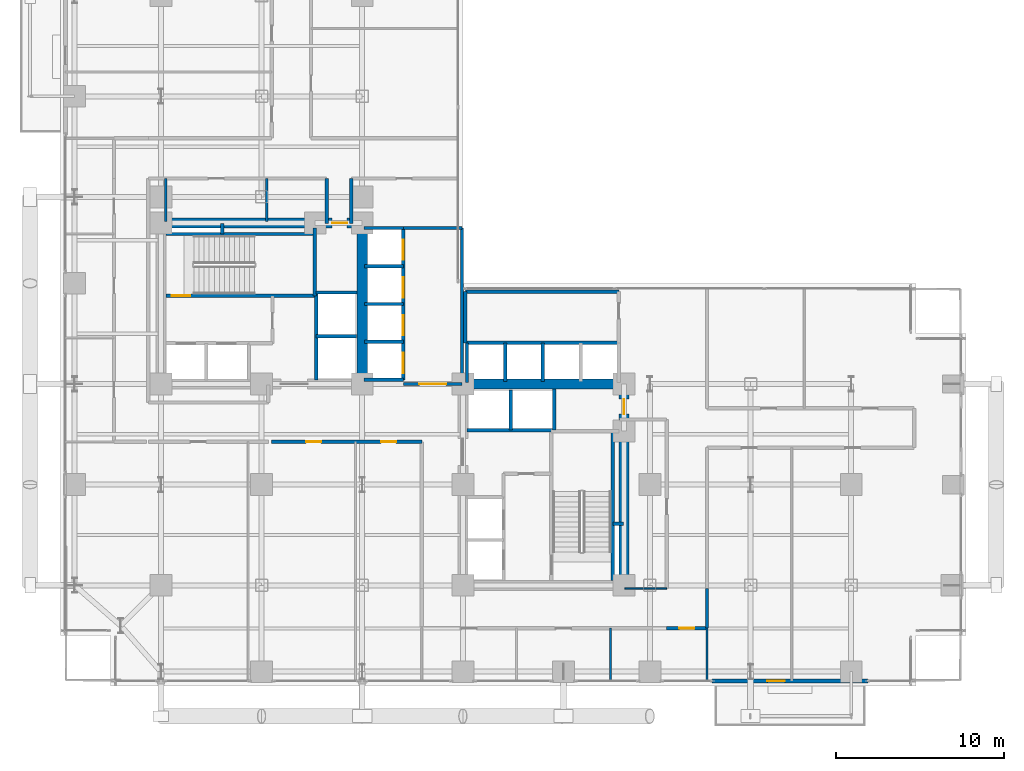
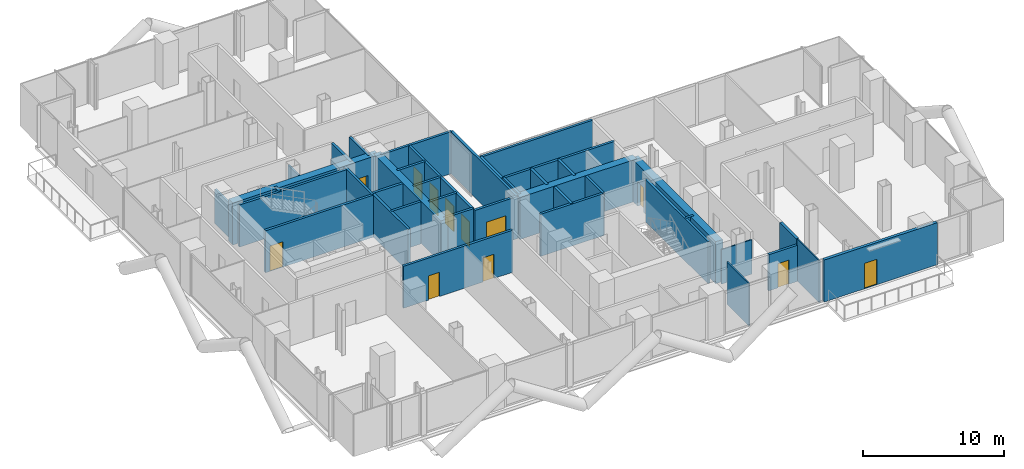
# One storey, part 22 of 27: 42 walls, 12 doors, 12 openings.
"""IFC4 building model written with IfcOpenShell, lengths in metres."""

from ifc_helpers import new_model, si_unit, direction, frame, frame_2d, origin, place, context, subcontext, project, spatial, rectangle, extrude, material, layer, layer_set, type_object, element, fill, save


model = new_model("IFC4")

# Units and contexts
model_context = context("Model", 3, precision=1e-05, world=origin(), true_north=direction((0.0, 1.0)))
body_context = subcontext(model_context, "Body", "Model", "MODEL_VIEW")
ifc_project = project(units=[si_unit("LENGTHUNIT", "METRE"), si_unit("AREAUNIT", "SQUARE_METRE"), si_unit("VOLUMEUNIT", "CUBIC_METRE"), si_unit("PLANEANGLEUNIT", "RADIAN"), si_unit("MASSUNIT", "GRAM", prefix="KILO"), si_unit("THERMODYNAMICTEMPERATUREUNIT", "KELVIN"), si_unit("POWERUNIT", "WATT")], contexts=[model_context])

# Site, building, storey
site_placement = place(None, origin())
site = spatial("IfcSite", under=ifc_project, at=site_placement, CompositionType="ELEMENT")
building_placement = place(site_placement, origin())
building = spatial("IfcBuilding", under=site, at=building_placement, Name="Svarakhadi Broadcast Tower", CompositionType="ELEMENT")
storey_placement = place(building_placement, frame((0.0, 0.0, 87.0)))
storey = spatial("IfcBuildingStorey", under=building, at=storey_placement, Name="L20", CompositionType="ELEMENT", Elevation=87.0)

# Wall, opening, door
ifc_material_1 = material(Name="Concrete C40/50 (IS 456 M50)", Category="concrete")
ifc_layer_1 = layer(ifc_material_1, 0.239990234375)
ifc_layer_set_1 = layer_set([ifc_layer_1], Name="Concrete C40/50 (IS 456 M50)")
wall_type_1 = type_object("IfcWallType", Name="Wall_Ext_240", PredefinedType="SOLIDWALL", material=ifc_layer_set_1)
wall_1_placement = place(storey_placement, frame((48.14501953125, 0.300048828125, 0.0), z_axis=(0.0, 0.0, 1.0), x_axis=(-1.0, 0.0, 0.0)))
wall_1 = element("IfcWall", 1, at=wall_1_placement, inside=storey, type_object=wall_type_1, Name="L20 South Tree Balcony Spandrel Wall", PredefinedType="SOLIDWALL", context=body_context, shape_type="SweptSolid", body=[
    extrude(rectangle(XDim=9.2900390625, YDim=0.239990234375, at=frame_2d((4.64501953125, 0.0))), origin(), (0.0, 0.0, 1.0), 3.64990234375),
])
opening_1_placement = place(wall_1_placement, frame((4.949951171875, 0.0, 0.0)))
opening_1 = element("IfcOpeningElement", 2, at=opening_1_placement, cuts=wall_1, Name="Opening ED-06", PredefinedType="OPENING", context=body_context, shape_type="SweptSolid", body=[
    extrude(rectangle(XDim=1.050048828125, YDim=2.199951171875, at=frame_2d((0.52490234375, 1.10009765625))), frame((0.0, 0.1298828125, 0.0), z_axis=(0.0, -1.0, 0.0), x_axis=(1.0, 0.0, 0.0)), (0.0, 0.0, 1.0), 0.260009765625),
])
ifc_material_2 = material(Name="Anodised Bronze Aluminium AA 6063-T6", Category="aluminium")
door_type_1 = type_object("IfcDoorType", Name="Door_Ext_ED06", OperationType="SINGLE_SWING_RIGHT", PredefinedType="DOOR", material=ifc_material_2)
door_1_placement = place(opening_1_placement, origin())
door_1 = element("IfcDoor", 3, at=door_1_placement, inside=storey, type_object=door_type_1, Name="L20 South Tree Balcony Door", OperationType="SINGLE_SWING_RIGHT", OverallHeight=2.199951171875, OverallWidth=1.050048828125, PredefinedType="DOOR", context=body_context, shape_type="SweptSolid", body=[
    extrude(rectangle(XDim=1.050048828125, YDim=2.199951171875, at=frame_2d((0.52490234375, 1.10009765625))), frame((0.0, 0.02490234375, 0.0), z_axis=(0.0, -1.0, 0.0), x_axis=(1.0, 0.0, 0.0)), (0.0, 0.0, 1.0), 0.050048828125),
])
fill(opening_1, door_1)

# Walls
ifc_layer_2 = layer(ifc_material_1, 0.199951171875)
ifc_layer_set_2 = layer_set([ifc_layer_2], Name="Concrete C40/50 (IS 456 M50)")
wall_type_2 = type_object("IfcWallType", Name="Wall_Fire_200", PredefinedType="SOLIDWALL", material=ifc_layer_set_2)
for number, where, z_axis, x_axis, name in (
    (4, (9.659912109375, 26.93994140625, 0.0), (0.0, 0.0, 1.0), (0.0, 1.0, 0.0), "L20 Wet Riser Shaft East Wall"),
    (5, (32.93994140625, 9.659912109375, 0.0), (0.0, 0.0, 1.0), (1.0, 0.0, 0.0), "L20 HV Busduct Riser Shaft North Wall"),
):
    element("IfcWall", number, at=place(storey_placement, frame(where, z_axis=z_axis, x_axis=x_axis)), inside=storey, type_object=wall_type_2, Name=name, PredefinedType="SOLIDWALL", context=body_context, shape_type="SweptSolid", body=[
        extrude(rectangle(XDim=0.64013671875, YDim=0.199951171875, at=frame_2d((0.320068359375, 0.0))), origin(), (0.0, 0.0, 1.0), 3.64990234375),
    ])
wall_2_placement = place(storey_placement, frame((38.550048828125, 5.800048828125, 0.0), z_axis=(0.0, 0.0, 1.0), x_axis=(0.0, -1.0, 0.0)))
element("IfcWall", 6, at=wall_2_placement, inside=storey, type_object=wall_type_2, Name="L20 Broadcast Corridor Wall", PredefinedType="SOLIDWALL", context=body_context, shape_type="SweptSolid", body=[
    extrude(rectangle(XDim=2.35009765625, YDim=0.199951171875, at=frame_2d((1.175048828125, 0.0))), origin(), (0.0, 0.0, 1.0), 3.64990234375),
])

# Wall, opening, door
wall_3_placement = place(storey_placement, frame((38.550048828125, 3.449951171875, 0.0), z_axis=(0.0, 0.0, 1.0), x_axis=(-1.0, 0.0, 0.0)))
wall_3 = element("IfcWall", 7, at=wall_3_placement, inside=storey, type_object=wall_type_2, Name="L20 Broadcast Corridor Wall", PredefinedType="SOLIDWALL", context=body_context, shape_type="SweptSolid", body=[
    extrude(rectangle(XDim=2.400146484375, YDim=0.199951171875, at=frame_2d((1.2001953125, 0.0))), origin(), (0.0, 0.0, 1.0), 3.14208984375),
])
opening_2_placement = place(wall_3_placement, frame((0.75, 0.0, 0.0)))
opening_2 = element("IfcOpeningElement", 8, at=opening_2_placement, cuts=wall_3, Name="Opening D-15", PredefinedType="OPENING", context=body_context, shape_type="SweptSolid", body=[
    extrude(rectangle(XDim=0.89990234375, YDim=2.10009765625, at=frame_2d((0.449951171875, 1.050048828125))), frame((0.0, 0.10986328125, 0.0), z_axis=(0.0, -1.0, 0.0), x_axis=(1.0, 0.0, 0.0)), (0.0, 0.0, 1.0), 0.219970703125),
])
ifc_material_3 = material(Name="Solid-Core Teak Veneer Acoustic Timber Leaf", Category="wood")
door_type_2 = type_object("IfcDoorType", Name="Door_Int_D15", OperationType="SINGLE_SWING_RIGHT", PredefinedType="DOOR", material=ifc_material_3)
door_2_placement = place(opening_2_placement, origin())
door_2 = element("IfcDoor", 9, at=door_2_placement, inside=storey, type_object=door_type_2, Name="L20 Broadcast Staff Refreshment Pantry Door", OperationType="SINGLE_SWING_RIGHT", OverallHeight=2.10009765625, OverallWidth=0.89990234375, PredefinedType="DOOR", context=body_context, shape_type="SweptSolid", body=[
    extrude(rectangle(XDim=0.89990234375, YDim=2.10009765625, at=frame_2d((0.449951171875, 1.050048828125))), frame((0.0, 0.02490234375, 0.0), z_axis=(0.0, -1.0, 0.0), x_axis=(1.0, 0.0, 0.0)), (0.0, 0.0, 1.0), 0.050048828125),
])
fill(opening_2, door_2)

# Wall, openings, doors
wall_4_placement = place(storey_placement, frame((21.550048828125, 14.550048828125, 0.0), z_axis=(0.0, 0.0, 1.0), x_axis=(-1.0, 0.0, 0.0)))
wall_4 = element("IfcWall", 10, at=wall_4_placement, inside=storey, type_object=wall_type_2, Name="L20 Broadcast Corridor Wall", PredefinedType="SOLIDWALL", context=body_context, shape_type="SweptSolid", body=[
    extrude(rectangle(XDim=8.949951171875, YDim=0.199951171875, at=frame_2d((4.47509765625, 0.0))), origin(), (0.0, 0.0, 1.0), 3.64990234375),
])
opening_3_placement = place(wall_4_placement, frame((6.0, 0.0, 0.0)))
opening_3 = element("IfcOpeningElement", 11, at=opening_3_placement, cuts=wall_4, Name="Opening D-14", PredefinedType="OPENING", context=body_context, shape_type="SweptSolid", body=[
    extrude(rectangle(XDim=0.89990234375, YDim=2.10009765625, at=frame_2d((0.449951171875, 1.050048828125))), frame((0.0, 0.10986328125, 0.0), z_axis=(0.0, -1.0, 0.0), x_axis=(1.0, 0.0, 0.0)), (0.0, 0.0, 1.0), 0.219970703125),
])
opening_4_placement = place(wall_4_placement, frame((1.52490234375, 0.0, 0.0)))
opening_4 = element("IfcOpeningElement", 12, at=opening_4_placement, cuts=wall_4, Name="Opening D-15", PredefinedType="OPENING", context=body_context, shape_type="SweptSolid", body=[
    extrude(rectangle(XDim=0.89990234375, YDim=2.10009765625, at=frame_2d((0.449951171875, 1.050048828125))), frame((0.0, 0.10986328125, 0.0), z_axis=(0.0, -1.0, 0.0), x_axis=(1.0, 0.0, 0.0)), (0.0, 0.0, 1.0), 0.219970703125),
])
door_type_3 = type_object("IfcDoorType", Name="Door_Int_D14", OperationType="SINGLE_SWING_LEFT", PredefinedType="DOOR", material=ifc_material_3)
door_3_placement = place(opening_3_placement, origin())
door_3 = element("IfcDoor", 13, at=door_3_placement, inside=storey, type_object=door_type_3, Name="L20 Standards and Practices Boardroom Door", OperationType="SINGLE_SWING_LEFT", OverallHeight=2.10009765625, OverallWidth=0.89990234375, PredefinedType="DOOR", context=body_context, shape_type="SweptSolid", body=[
    extrude(rectangle(XDim=0.89990234375, YDim=2.10009765625, at=frame_2d((0.449951171875, 1.050048828125))), frame((0.0, 0.02490234375, 0.0), z_axis=(0.0, -1.0, 0.0), x_axis=(1.0, 0.0, 0.0)), (0.0, 0.0, 1.0), 0.050048828125),
])
fill(opening_3, door_3)
door_4_placement = place(opening_4_placement, origin())
door_4 = element("IfcDoor", 14, at=door_4_placement, inside=storey, type_object=door_type_2, Name="L20 Executive Secretariat Door", OperationType="SINGLE_SWING_RIGHT", OverallHeight=2.10009765625, OverallWidth=0.89990234375, PredefinedType="DOOR", context=body_context, shape_type="SweptSolid", body=[
    extrude(rectangle(XDim=0.89990234375, YDim=2.10009765625, at=frame_2d((0.449951171875, 1.050048828125))), frame((0.0, 0.02490234375, 0.0), z_axis=(0.0, -1.0, 0.0), x_axis=(1.0, 0.0, 0.0)), (0.0, 0.0, 1.0), 0.050048828125),
])
fill(opening_4, door_4)

# Walls
for number, where, z_axis, x_axis, name in (
    (15, (17.35009765625, 30.25, 0.0), (0.0, 0.0, 1.0), (0.0, -1.0, 0.0), "L20 Broadcast Corridor Wall"),
    (16, (15.8798828125, 27.580078125, 0.0), (0.0, 0.0, 1.0), (0.0, 1.0, 0.0), "L20 Broadcast Corridor Wall"),
):
    element("IfcWall", number, at=place(storey_placement, frame(where, z_axis=z_axis, x_axis=x_axis)), inside=storey, type_object=wall_type_2, Name=name, PredefinedType="SOLIDWALL", context=body_context, shape_type="SweptSolid", body=[
        extrude(rectangle(XDim=2.669921875, YDim=0.199951171875, at=frame_2d((1.3349609375, 0.0))), origin(), (0.0, 0.0, 1.0), 3.64990234375),
    ])
ifc_material_4 = material(Name="Fire-Rated Moisture-Resistant Gypsum Board Partition", Category="gypsum")
ifc_layer_3 = layer(ifc_material_4, 0.10009765625)
ifc_layer_set_3 = layer_set([ifc_layer_3], Name="Fire-Rated Moisture-Resistant Gypsum Board Partition")
wall_type_3 = type_object("IfcWallType", Name="Wall_Part_100", PredefinedType="PARTITIONING", material=ifc_layer_set_3)
for number, where, z_axis, x_axis, name in (
    (17, (32.800048828125, 0.300048828125, 0.0), (0.0, 0.0, 1.0), (0.0, 1.0, 0.0), "L20 Media Legal Review Office Wall"),
    (18, (38.550048828125, 0.300048828125, 0.0), (0.0, 0.0, 1.0), (0.0, 1.0, 0.0), "L20 Broadcast Staff Refreshment Pantry Wall"),
):
    element("IfcWall", number, at=place(storey_placement, frame(where, z_axis=z_axis, x_axis=x_axis)), inside=storey, type_object=wall_type_3, Name=name, PredefinedType="PARTITIONING", context=body_context, shape_type="SweptSolid", body=[
        extrude(rectangle(XDim=3.14990234375, YDim=0.10009765625, at=frame_2d((1.574951171875, 0.0))), origin(), (0.0, 0.0, 1.0), 3.64990234375),
    ])
wall_5_placement = place(storey_placement, frame((33.64990234375, 5.800048828125, 0.0), z_axis=(0.0, 0.0, 1.0), x_axis=(1.0, 0.0, 0.0)))
element("IfcWall", 19, at=wall_5_placement, inside=storey, type_object=wall_type_3, Name="L20 Live Feed Monitoring Studio Wall", PredefinedType="PARTITIONING", context=body_context, shape_type="SweptSolid", body=[
    extrude(rectangle(XDim=2.5, YDim=0.10009765625, at=frame_2d((1.25, 0.0))), origin(), (0.0, 0.0, 1.0), 2.991943359375),
])
ifc_material_5 = material(Name="Autoclaved Aerated Concrete Blockwork 150 mm", Category="masonry")
ifc_layer_4 = layer(ifc_material_5, 0.14990234375)
ifc_layer_set_4 = layer_set([ifc_layer_4], Name="Autoclaved Aerated Concrete Blockwork 150 mm")
wall_type_4 = type_object("IfcWallType", Name="Wall_Part_150", PredefinedType="PARTITIONING", material=ifc_layer_set_4)
for number, where, z_axis, x_axis, name in (
    (20, (6.300048828125, 27.679931640625, 0.0), (0.0, 0.0, 1.0), (0.0, 1.0, 0.0), "L20 Accessible Toilet WC Wall"),
    (21, (12.300048828125, 27.679931640625, 0.0), (0.0, 0.0, 1.0), (0.0, 1.0, 0.0), "L20 Accessible Toilet WC Wall"),
):
    element("IfcWall", number, at=place(storey_placement, frame(where, z_axis=z_axis, x_axis=x_axis)), inside=storey, type_object=wall_type_4, Name=name, PredefinedType="PARTITIONING", context=body_context, shape_type="SweptSolid", body=[
        extrude(rectangle(XDim=2.570068359375, YDim=0.14990234375, at=frame_2d((1.28515625, 0.0))), origin(), (0.0, 0.0, 1.0), 2.991943359375),
    ])

# Wall, opening, door
ifc_material_6 = material(Name="Concrete C50/60 (IS 456 M60)", Category="concrete")
ifc_layer_5 = layer(ifc_material_6, 0.199951171875)
ifc_layer_set_5 = layer_set([ifc_layer_5], Name="Concrete C50/60 (IS 456 M60)")
wall_type_5 = type_object("IfcWallType", Name="Wall_Shear_200", PredefinedType="SHEAR", material=ifc_layer_set_5)
wall_6_placement = place(storey_placement, frame((6.300048828125, 23.260009765625, 0.0), z_axis=(0.0, 0.0, 1.0), x_axis=(1.0, 0.0, 0.0)))
wall_6 = element("IfcWall", 22, at=wall_6_placement, inside=storey, type_object=wall_type_5, Name="L20 Stair ST-01 South RC Shaft Wall", PredefinedType="SHEAR", context=body_context, shape_type="SweptSolid", body=[
    extrude(rectangle(XDim=8.8798828125, YDim=0.199951171875, at=frame_2d((4.43994140625, 0.0))), origin(), (0.0, 0.0, 1.0), 3.64990234375),
])
opening_5_placement = place(wall_6_placement, frame((0.35009765625, 0.0, 0.0)))
opening_5 = element("IfcOpeningElement", 23, at=opening_5_placement, cuts=wall_6, Name="Opening D-01", PredefinedType="OPENING", context=body_context, shape_type="SweptSolid", body=[
    extrude(rectangle(XDim=1.10009765625, YDim=2.199951171875, at=frame_2d((0.550048828125, 1.10009765625))), frame((0.0, 0.10986328125, 0.0), z_axis=(0.0, -1.0, 0.0), x_axis=(1.0, 0.0, 0.0)), (0.0, 0.0, 1.0), 0.219970703125),
])
ifc_material_7 = material(Name="Galvanised Powder-Coated Fire-Rated Steel Leaf", Category="steel")
door_type_4 = type_object("IfcDoorType", Name="Door_Stair_D01", OperationType="SINGLE_SWING_LEFT", PredefinedType="DOOR", material=ifc_material_7)
door_5_placement = place(opening_5_placement, origin())
door_5 = element("IfcDoor", 24, at=door_5_placement, inside=storey, type_object=door_type_4, Name="L20 Protected Exit Stair ST-01 Fire Door", OperationType="SINGLE_SWING_LEFT", OverallHeight=2.199951171875, OverallWidth=1.10009765625, PredefinedType="DOOR", context=body_context, shape_type="SweptSolid", body=[
    extrude(rectangle(XDim=1.10009765625, YDim=2.199951171875, at=frame_2d((0.550048828125, 1.10009765625))), frame((0.0, 0.02490234375, 0.0), z_axis=(0.0, -1.0, 0.0), x_axis=(1.0, 0.0, 0.0)), (0.0, 0.0, 1.0), 0.050048828125),
])
fill(opening_5, door_5)

# Walls
wall_7_placement = place(storey_placement, frame((6.300048828125, 26.93994140625, 0.0), z_axis=(0.0, 0.0, 1.0), x_axis=(1.0, 0.0, 0.0)))
element("IfcWall", 25, at=wall_7_placement, inside=storey, type_object=wall_type_5, Name="L20 Stair ST-01 North RC Shaft Wall", PredefinedType="SHEAR", context=body_context, shape_type="SweptSolid", body=[
    extrude(rectangle(XDim=8.8798828125, YDim=0.199951171875, at=frame_2d((4.43994140625, 0.0))), origin(), (0.0, 0.0, 1.0), 3.64990234375),
])
wall_8_placement = place(storey_placement, frame((15.179931640625, 23.260009765625, 0.0), z_axis=(0.0, 0.0, 1.0), x_axis=(0.0, 1.0, 0.0)))
element("IfcWall", 26, at=wall_8_placement, inside=storey, type_object=wall_type_5, Name="L20 Stair ST-01 East RC Shaft Wall", PredefinedType="SHEAR", context=body_context, shape_type="SweptSolid", body=[
    extrude(rectangle(XDim=4.0400390625, YDim=0.199951171875, at=frame_2d((2.02001953125, 0.0))), origin(), (0.0, 0.0, 1.0), 3.64990234375),
])
wall_9_placement = place(storey_placement, frame((32.93994140625, 6.300048828125, 0.0), z_axis=(0.0, 0.0, 1.0), x_axis=(0.0, 1.0, 0.0)))
element("IfcWall", 27, at=wall_9_placement, inside=storey, type_object=wall_type_5, Name="L20 Stair ST-02 East RC Shaft Wall", PredefinedType="SHEAR", context=body_context, shape_type="SweptSolid", body=[
    extrude(rectangle(XDim=8.8798828125, YDim=0.199951171875, at=frame_2d((4.43994140625, 0.0))), origin(), (0.0, 0.0, 1.0), 3.64990234375),
])
wall_10_placement = place(storey_placement, frame((15.25, 18.25, 0.0), z_axis=(0.0, 0.0, 1.0), x_axis=(0.0, 1.0, 0.0)))
element("IfcWall", 28, at=wall_10_placement, inside=storey, type_object=wall_type_5, Name="L20 High-Rise Lift LF-13/14 West Shaft Wall", PredefinedType="SHEAR", context=body_context, shape_type="SweptSolid", body=[
    extrude(rectangle(XDim=5.199951171875, YDim=0.199951171875, at=frame_2d((2.60009765625, 0.0))), origin(), (0.0, 0.0, 1.0), 3.64990234375),
])
wall_11_placement = place(storey_placement, frame((15.25, 20.85009765625, 0.0), z_axis=(0.0, 0.0, 1.0), x_axis=(1.0, 0.0, 0.0)))
element("IfcWall", 29, at=wall_11_placement, inside=storey, type_object=wall_type_5, Name="L20 High-Rise Lift LF-13/14 Divider", PredefinedType="SHEAR", context=body_context, shape_type="SweptSolid", body=[
    extrude(rectangle(XDim=2.39990234375, YDim=0.199951171875, at=frame_2d((1.199951171875, 0.0))), origin(), (0.0, 0.0, 1.0), 3.64990234375),
])
wall_12_placement = place(storey_placement, frame((15.25, 23.449951171875, 0.0), z_axis=(0.0, 0.0, 1.0), x_axis=(1.0, 0.0, 0.0)))
element("IfcWall", 30, at=wall_12_placement, inside=storey, type_object=wall_type_5, Name="L20 High-Rise Lift LF-13/14 North Wall", PredefinedType="SHEAR", context=body_context, shape_type="SweptSolid", body=[
    extrude(rectangle(XDim=2.449951171875, YDim=0.199951171875, at=frame_2d((1.22509765625, 0.0))), origin(), (0.0, 0.0, 1.0), 3.64990234375),
])
wall_13_placement = place(storey_placement, frame((24.25, 15.25, 0.0), z_axis=(0.0, 0.0, 1.0), x_axis=(1.0, 0.0, 0.0)))
element("IfcWall", 31, at=wall_13_placement, inside=storey, type_object=wall_type_5, Name="L20 High-Rise Lift LF-15/16 South Shaft Wall", PredefinedType="SHEAR", context=body_context, shape_type="SweptSolid", body=[
    extrude(rectangle(XDim=5.199951171875, YDim=0.199951171875, at=frame_2d((2.60009765625, 0.0))), origin(), (0.0, 0.0, 1.0), 3.64990234375),
])
wall_14_placement = place(storey_placement, frame((26.85009765625, 15.25, 0.0), z_axis=(0.0, 0.0, 1.0), x_axis=(0.0, 1.0, 0.0)))
element("IfcWall", 32, at=wall_14_placement, inside=storey, type_object=wall_type_5, Name="L20 High-Rise Lift LF-15/16 Divider", PredefinedType="SHEAR", context=body_context, shape_type="SweptSolid", body=[
    extrude(rectangle(XDim=2.39990234375, YDim=0.199951171875, at=frame_2d((1.199951171875, 0.0))), origin(), (0.0, 0.0, 1.0), 3.64990234375),
])
wall_15_placement = place(storey_placement, frame((29.449951171875, 15.25, 0.0), z_axis=(0.0, 0.0, 1.0), x_axis=(0.0, 1.0, 0.0)))
element("IfcWall", 33, at=wall_15_placement, inside=storey, type_object=wall_type_5, Name="L20 High-Rise Lift LF-15/16 East Wall", PredefinedType="SHEAR", context=body_context, shape_type="SweptSolid", body=[
    extrude(rectangle(XDim=2.449951171875, YDim=0.199951171875, at=frame_2d((1.22509765625, 0.0))), origin(), (0.0, 0.0, 1.0), 3.64990234375),
])
for number, where, z_axis, x_axis, name in (
    (34, (18.10009765625, 27.300048828125, 0.0), (0.0, 0.0, 1.0), (1.0, 0.0, 0.0), "L20 Bank A North Shaft Wall"),
    (35, (18.10009765625, 18.25, 0.0), (0.0, 0.0, 1.0), (1.0, 0.0, 0.0), "L20 Bank A South Shaft Wall"),
):
    element("IfcWall", number, at=place(storey_placement, frame(where, z_axis=z_axis, x_axis=x_axis)), inside=storey, type_object=wall_type_5, Name=name, PredefinedType="SHEAR", context=body_context, shape_type="SweptSolid", body=[
        extrude(rectangle(XDim=2.349853515625, YDim=0.199951171875, at=frame_2d((1.1748046875, 0.0))), origin(), (0.0, 0.0, 1.0), 3.64990234375),
    ])

# Wall, openings, doors
wall_16_placement = place(storey_placement, frame((20.449951171875, 18.25, 0.0), z_axis=(0.0, 0.0, 1.0), x_axis=(0.0, 1.0, 0.0)))
wall_16 = element("IfcWall", 36, at=wall_16_placement, inside=storey, type_object=wall_type_5, Name="L20 Bank A East Landing Wall", PredefinedType="SHEAR", context=body_context, shape_type="SweptSolid", body=[
    extrude(rectangle(XDim=9.050048828125, YDim=0.199951171875, at=frame_2d((4.52490234375, 0.0))), origin(), (0.0, 0.0, 1.0), 3.64990234375),
])
opening_6_placement = place(wall_16_placement, frame((0.39990234375, 0.0, 0.0)))
opening_6 = element("IfcOpeningElement", 37, at=opening_6_placement, cuts=wall_16, Name="Opening LD-02", PredefinedType="OPENING", context=body_context, shape_type="SweptSolid", body=[
    extrude(rectangle(XDim=1.199951171875, YDim=2.199951171875, at=frame_2d((0.60009765625, 1.10009765625))), frame((0.0, 0.10986328125, 0.0), z_axis=(0.0, -1.0, 0.0), x_axis=(1.0, 0.0, 0.0)), (0.0, 0.0, 1.0), 0.219970703125),
])
opening_7_placement = place(wall_16_placement, frame((2.64990234375, 0.0, 0.0)))
opening_7 = element("IfcOpeningElement", 38, at=opening_7_placement, cuts=wall_16, Name="Opening LD-02", PredefinedType="OPENING", context=body_context, shape_type="SweptSolid", body=[
    extrude(rectangle(XDim=1.199951171875, YDim=2.199951171875, at=frame_2d((0.60009765625, 1.10009765625))), frame((0.0, 0.10986328125, 0.0), z_axis=(0.0, -1.0, 0.0), x_axis=(1.0, 0.0, 0.0)), (0.0, 0.0, 1.0), 0.219970703125),
])
opening_8_placement = place(wall_16_placement, frame((4.89990234375, 0.0, 0.0)))
opening_8 = element("IfcOpeningElement", 39, at=opening_8_placement, cuts=wall_16, Name="Opening LD-02", PredefinedType="OPENING", context=body_context, shape_type="SweptSolid", body=[
    extrude(rectangle(XDim=1.199951171875, YDim=2.199951171875, at=frame_2d((0.60009765625, 1.10009765625))), frame((0.0, 0.10986328125, 0.0), z_axis=(0.0, -1.0, 0.0), x_axis=(1.0, 0.0, 0.0)), (0.0, 0.0, 1.0), 0.219970703125),
])
opening_9_placement = place(wall_16_placement, frame((7.14990234375, 0.0, 0.0)))
opening_9 = element("IfcOpeningElement", 40, at=opening_9_placement, cuts=wall_16, Name="Opening LD-02", PredefinedType="OPENING", context=body_context, shape_type="SweptSolid", body=[
    extrude(rectangle(XDim=1.199951171875, YDim=2.199951171875, at=frame_2d((0.60009765625, 1.10009765625))), frame((0.0, 0.10986328125, 0.0), z_axis=(0.0, -1.0, 0.0), x_axis=(1.0, 0.0, 0.0)), (0.0, 0.0, 1.0), 0.219970703125),
])
door_type_5 = type_object("IfcDoorType", Name="Door_Lift_LD02", OperationType="SLIDING_TO_RIGHT", PredefinedType="DOOR", material=ifc_material_7)
door_6_placement = place(opening_6_placement, origin())
door_6 = element("IfcDoor", 41, at=door_6_placement, inside=storey, type_object=door_type_5, Name="L20 Low-Rise Lift LF-05 Landing Door", OperationType="SLIDING_TO_RIGHT", OverallHeight=2.199951171875, OverallWidth=1.199951171875, PredefinedType="DOOR", context=body_context, shape_type="SweptSolid", body=[
    extrude(rectangle(XDim=1.199951171875, YDim=2.199951171875, at=frame_2d((0.60009765625, 1.10009765625))), frame((0.0, 0.02490234375, 0.0), z_axis=(0.0, -1.0, 0.0), x_axis=(1.0, 0.0, 0.0)), (0.0, 0.0, 1.0), 0.050048828125),
])
fill(opening_6, door_6)
door_7_placement = place(opening_7_placement, origin())
door_7 = element("IfcDoor", 42, at=door_7_placement, inside=storey, type_object=door_type_5, Name="L20 Low-Rise Lift LF-06 Landing Door", OperationType="SLIDING_TO_RIGHT", OverallHeight=2.199951171875, OverallWidth=1.199951171875, PredefinedType="DOOR", context=body_context, shape_type="SweptSolid", body=[
    extrude(rectangle(XDim=1.199951171875, YDim=2.199951171875, at=frame_2d((0.60009765625, 1.10009765625))), frame((0.0, 0.02490234375, 0.0), z_axis=(0.0, -1.0, 0.0), x_axis=(1.0, 0.0, 0.0)), (0.0, 0.0, 1.0), 0.050048828125),
])
fill(opening_7, door_7)
door_8_placement = place(opening_8_placement, origin())
door_8 = element("IfcDoor", 43, at=door_8_placement, inside=storey, type_object=door_type_5, Name="L20 Low-Rise Lift LF-07 Landing Door", OperationType="SLIDING_TO_RIGHT", OverallHeight=2.199951171875, OverallWidth=1.199951171875, PredefinedType="DOOR", context=body_context, shape_type="SweptSolid", body=[
    extrude(rectangle(XDim=1.199951171875, YDim=2.199951171875, at=frame_2d((0.60009765625, 1.10009765625))), frame((0.0, 0.02490234375, 0.0), z_axis=(0.0, -1.0, 0.0), x_axis=(1.0, 0.0, 0.0)), (0.0, 0.0, 1.0), 0.050048828125),
])
fill(opening_8, door_8)
door_9_placement = place(opening_9_placement, origin())
door_9 = element("IfcDoor", 44, at=door_9_placement, inside=storey, type_object=door_type_5, Name="L20 Low-Rise Lift LF-08 Landing Door", OperationType="SLIDING_TO_RIGHT", OverallHeight=2.199951171875, OverallWidth=1.199951171875, PredefinedType="DOOR", context=body_context, shape_type="SweptSolid", body=[
    extrude(rectangle(XDim=1.199951171875, YDim=2.199951171875, at=frame_2d((0.60009765625, 1.10009765625))), frame((0.0, 0.02490234375, 0.0), z_axis=(0.0, -1.0, 0.0), x_axis=(1.0, 0.0, 0.0)), (0.0, 0.0, 1.0), 0.050048828125),
])
fill(opening_9, door_9)

# Walls
for number, where, z_axis, x_axis, name in (
    (45, (18.14990234375, 20.52001953125, 0.0), (0.0, 0.0, 1.0), (1.0, 0.0, 0.0), "L20 Bank A Divider"),
    (46, (18.14990234375, 22.77001953125, 0.0), (0.0, 0.0, 1.0), (1.0, 0.0, 0.0), "L20 Bank A Divider"),
    (47, (18.14990234375, 25.02001953125, 0.0), (0.0, 0.0, 1.0), (1.0, 0.0, 0.0), "L20 Bank A Divider"),
):
    element("IfcWall", number, at=place(storey_placement, frame(where, z_axis=z_axis, x_axis=x_axis)), inside=storey, type_object=wall_type_5, Name=name, PredefinedType="SHEAR", context=body_context, shape_type="SweptSolid", body=[
        extrude(rectangle(XDim=2.300048828125, YDim=0.199951171875, at=frame_2d((1.14990234375, 0.0))), origin(), (0.0, 0.0, 1.0), 3.64990234375),
    ])

# Wall, opening, door
wall_17_placement = place(storey_placement, frame((20.449951171875, 18.0, 0.0), z_axis=(0.0, 0.0, 1.0), x_axis=(1.0, 0.0, 0.0)))
wall_17 = element("IfcWall", 48, at=wall_17_placement, inside=storey, type_object=wall_type_5, Name="L20 Bank A Lift Hall South Wall", PredefinedType="SHEAR", context=body_context, shape_type="SweptSolid", body=[
    extrude(rectangle(XDim=3.5, YDim=0.199951171875, at=frame_2d((1.75, 0.0))), origin(), (0.0, 0.0, 1.0), 3.64990234375),
])
opening_10_placement = place(wall_17_placement, frame((0.949951171875, 0.0, 0.0)))
opening_10 = element("IfcOpeningElement", 49, at=opening_10_placement, cuts=wall_17, Name="Opening D-05", PredefinedType="OPENING", context=body_context, shape_type="SweptSolid", body=[
    extrude(rectangle(XDim=1.60009765625, YDim=2.300048828125, at=frame_2d((0.800048828125, 1.14990234375))), frame((0.0, 0.10986328125, 0.0), z_axis=(0.0, -1.0, 0.0), x_axis=(1.0, 0.0, 0.0)), (0.0, 0.0, 1.0), 0.219970703125),
])
door_type_6 = type_object("IfcDoorType", Name="Door_Lobby_D05", OperationType="DOUBLE_DOOR_SLIDING", PredefinedType="DOOR", material=ifc_material_2)
door_10_placement = place(opening_10_placement, origin())
door_10 = element("IfcDoor", 50, at=door_10_placement, inside=storey, type_object=door_type_6, Name="L20 Low-Rise Lift Hall Corridor Door", OperationType="DOUBLE_DOOR_SLIDING", OverallHeight=2.300048828125, OverallWidth=1.60009765625, PredefinedType="DOOR", context=body_context, shape_type="SweptSolid", body=[
    extrude(rectangle(XDim=1.60009765625, YDim=2.300048828125, at=frame_2d((0.800048828125, 1.14990234375))), frame((0.0, 0.02490234375, 0.0), z_axis=(0.0, -1.0, 0.0), x_axis=(1.0, 0.0, 0.0)), (0.0, 0.0, 1.0), 0.050048828125),
])
fill(opening_10, door_10)

# Walls
wall_18_placement = place(storey_placement, frame((20.449951171875, 27.300048828125, 0.0), z_axis=(0.0, 0.0, 1.0), x_axis=(1.0, 0.0, 0.0)))
element("IfcWall", 51, at=wall_18_placement, inside=storey, type_object=wall_type_5, Name="L20 Bank A Lift Hall North Wall", PredefinedType="SHEAR", context=body_context, shape_type="SweptSolid", body=[
    extrude(rectangle(XDim=3.5, YDim=0.199951171875, at=frame_2d((1.75, 0.0))), origin(), (0.0, 0.0, 1.0), 3.64990234375),
])
wall_19_placement = place(storey_placement, frame((23.949951171875, 18.0, 0.0), z_axis=(0.0, 0.0, 1.0), x_axis=(0.0, 1.0, 0.0)))
element("IfcWall", 52, at=wall_19_placement, inside=storey, type_object=wall_type_5, Name="L20 Bank A Lift Hall East Wall", PredefinedType="SHEAR", context=body_context, shape_type="SweptSolid", body=[
    extrude(rectangle(XDim=9.300048828125, YDim=0.199951171875, at=frame_2d((4.64990234375, 0.0))), origin(), (0.0, 0.0, 1.0), 3.64990234375),
])
wall_20_placement = place(storey_placement, frame((24.25, 18.10009765625, 0.0), z_axis=(0.0, 0.0, 1.0), x_axis=(0.0, 1.0, 0.0)))
element("IfcWall", 53, at=wall_20_placement, inside=storey, type_object=wall_type_5, Name="L20 Bank B West Shaft Wall", PredefinedType="SHEAR", context=body_context, shape_type="SweptSolid", body=[
    extrude(rectangle(XDim=2.349853515625, YDim=0.199951171875, at=frame_2d((1.1748046875, 0.0))), origin(), (0.0, 0.0, 1.0), 3.64990234375),
])
wall_21_placement = place(storey_placement, frame((24.25, 20.449951171875, 0.0), z_axis=(0.0, 0.0, 1.0), x_axis=(1.0, 0.0, 0.0)))
element("IfcWall", 54, at=wall_21_placement, inside=storey, type_object=wall_type_5, Name="L20 Bank B North Landing Wall", PredefinedType="SHEAR", context=body_context, shape_type="SweptSolid", body=[
    extrude(rectangle(XDim=9.050048828125, YDim=0.199951171875, at=frame_2d((4.52490234375, 0.0))), origin(), (0.0, 0.0, 1.0), 3.64990234375),
])
for number, where, z_axis, x_axis, name in (
    (55, (26.52001953125, 18.14990234375, 0.0), (0.0, 0.0, 1.0), (0.0, 1.0, 0.0), "L20 Bank B Divider"),
    (56, (28.77001953125, 18.14990234375, 0.0), (0.0, 0.0, 1.0), (0.0, 1.0, 0.0), "L20 Bank B Divider"),
):
    element("IfcWall", number, at=place(storey_placement, frame(where, z_axis=z_axis, x_axis=x_axis)), inside=storey, type_object=wall_type_5, Name=name, PredefinedType="SHEAR", context=body_context, shape_type="SweptSolid", body=[
        extrude(rectangle(XDim=2.300048828125, YDim=0.199951171875, at=frame_2d((1.14990234375, 0.0))), origin(), (0.0, 0.0, 1.0), 3.64990234375),
    ])
wall_22_placement = place(storey_placement, frame((24.14990234375, 23.5, 0.0), z_axis=(0.0, 0.0, 1.0), x_axis=(1.0, 0.0, 0.0)))
element("IfcWall", 57, at=wall_22_placement, inside=storey, type_object=wall_type_5, Name="L20 Bank B Lift Hall North Wall", PredefinedType="SHEAR", context=body_context, shape_type="SweptSolid", body=[
    extrude(rectangle(XDim=9.150146484375, YDim=0.199951171875, at=frame_2d((4.5751953125, 0.0))), origin(), (0.0, 0.0, 1.0), 3.64990234375),
])
wall_23_placement = place(storey_placement, frame((24.14990234375, 20.449951171875, 0.0), z_axis=(0.0, 0.0, 1.0), x_axis=(0.0, 1.0, 0.0)))
element("IfcWall", 58, at=wall_23_placement, inside=storey, type_object=wall_type_5, Name="L20 Bank B Lift Hall West Wall", PredefinedType="SHEAR", context=body_context, shape_type="SweptSolid", body=[
    extrude(rectangle(XDim=3.050048828125, YDim=0.199951171875, at=frame_2d((1.52490234375, 0.0))), origin(), (0.0, 0.0, 1.0), 3.64990234375),
])

# Wall, opening, door
ifc_material_8 = material(Name="Concrete C60/75 (IS 456 M70)", Category="concrete")
ifc_layer_6 = layer(ifc_material_8, 0.60009765625)
ifc_layer_set_6 = layer_set([ifc_layer_6], Name="Concrete C60/75 (IS 456 M70)")
wall_type_6 = type_object("IfcWallType", Name="Wall_Shear_600", PredefinedType="SHEAR", material=ifc_layer_set_6)
wall_24_placement = place(storey_placement, frame((6.0, 27.60009765625, 0.0), z_axis=(0.0, 0.0, 1.0), x_axis=(1.0, 0.0, 0.0)))
wall_24 = element("IfcWall", 59, at=wall_24_placement, inside=storey, type_object=wall_type_6, Name="L20 West Core North Shear Wall", PredefinedType="SHEAR", context=body_context, shape_type="SweptSolid", body=[
    extrude(rectangle(XDim=12.0, YDim=0.60009765625, at=frame_2d((6.0, 0.0))), origin(), (0.0, 0.0, 1.0), 3.64990234375),
])
opening_11_placement = place(wall_24_placement, frame((10.199951171875, 0.0, 0.0)))
opening_11 = element("IfcOpeningElement", 60, at=opening_11_placement, cuts=wall_24, Name="Opening D-04", PredefinedType="OPENING", context=body_context, shape_type="SweptSolid", body=[
    extrude(rectangle(XDim=0.89990234375, YDim=2.14990234375, at=frame_2d((0.449951171875, 1.074951171875))), frame((0.0, 0.31005859375, 0.0), z_axis=(0.0, -1.0, 0.0), x_axis=(1.0, 0.0, 0.0)), (0.0, 0.0, 1.0), 0.6201171875),
])
door_type_7 = type_object("IfcDoorType", Name="Door_Fire_D04", OperationType="SINGLE_SWING_RIGHT", PredefinedType="DOOR", material=ifc_material_7)
door_11_placement = place(opening_11_placement, origin())
door_11 = element("IfcDoor", 61, at=door_11_placement, inside=storey, type_object=door_type_7, Name="L20 Core Service Room West Door", OperationType="SINGLE_SWING_RIGHT", OverallHeight=2.14990234375, OverallWidth=0.89990234375, PredefinedType="DOOR", context=body_context, shape_type="SweptSolid", body=[
    extrude(rectangle(XDim=0.89990234375, YDim=2.14990234375, at=frame_2d((0.449951171875, 1.074951171875))), frame((0.0, 0.02490234375, 0.0), z_axis=(0.0, -1.0, 0.0), x_axis=(1.0, 0.0, 0.0)), (0.0, 0.0, 1.0), 0.050048828125),
])
fill(opening_11, door_11)

# Walls
for number, where, z_axis, x_axis, name in (
    (62, (18.0, 18.0, 0.0), (0.0, 0.0, 1.0), (0.0, 1.0, 0.0), "L20 West Core East Shear Wall"),
    (63, (24.0, 18.0, 0.0), (0.0, 0.0, 1.0), (1.0, 0.0, 0.0), "L20 East Core North Shear Wall"),
):
    element("IfcWall", number, at=place(storey_placement, frame(where, z_axis=z_axis, x_axis=x_axis)), inside=storey, type_object=wall_type_6, Name=name, PredefinedType="SHEAR", context=body_context, shape_type="SweptSolid", body=[
        extrude(rectangle(XDim=9.60009765625, YDim=0.60009765625, at=frame_2d((4.800048828125, 0.0))), origin(), (0.0, 0.0, 1.0), 3.64990234375),
    ])

# Wall, opening, door
wall_25_placement = place(storey_placement, frame((33.60009765625, 6.0, 0.0), z_axis=(0.0, 0.0, 1.0), x_axis=(0.0, 1.0, 0.0)))
wall_25 = element("IfcWall", 64, at=wall_25_placement, inside=storey, type_object=wall_type_6, Name="L20 East Core East Shear Wall", PredefinedType="SHEAR", context=body_context, shape_type="SweptSolid", body=[
    extrude(rectangle(XDim=12.0, YDim=0.60009765625, at=frame_2d((6.0, 0.0))), origin(), (0.0, 0.0, 1.0), 3.64990234375),
])
opening_12_placement = place(wall_25_placement, frame((10.199951171875, 0.0, 0.0)))
opening_12 = element("IfcOpeningElement", 65, at=opening_12_placement, cuts=wall_25, Name="Opening D-04", PredefinedType="OPENING", context=body_context, shape_type="SweptSolid", body=[
    extrude(rectangle(XDim=0.89990234375, YDim=2.14990234375, at=frame_2d((0.449951171875, 1.074951171875))), frame((0.0, 0.31005859375, 0.0), z_axis=(0.0, -1.0, 0.0), x_axis=(1.0, 0.0, 0.0)), (0.0, 0.0, 1.0), 0.6201171875),
])
door_12_placement = place(opening_12_placement, origin())
door_12 = element("IfcDoor", 66, at=door_12_placement, inside=storey, type_object=door_type_7, Name="L20 Core Service Room East Door", OperationType="SINGLE_SWING_RIGHT", OverallHeight=2.14990234375, OverallWidth=0.89990234375, PredefinedType="DOOR", context=body_context, shape_type="SweptSolid", body=[
    extrude(rectangle(XDim=0.89990234375, YDim=2.14990234375, at=frame_2d((0.449951171875, 1.074951171875))), frame((0.0, 0.02490234375, 0.0), z_axis=(0.0, -1.0, 0.0), x_axis=(1.0, 0.0, 0.0)), (0.0, 0.0, 1.0), 0.050048828125),
])
fill(opening_12, door_12)

save(model, "model.ifc")
